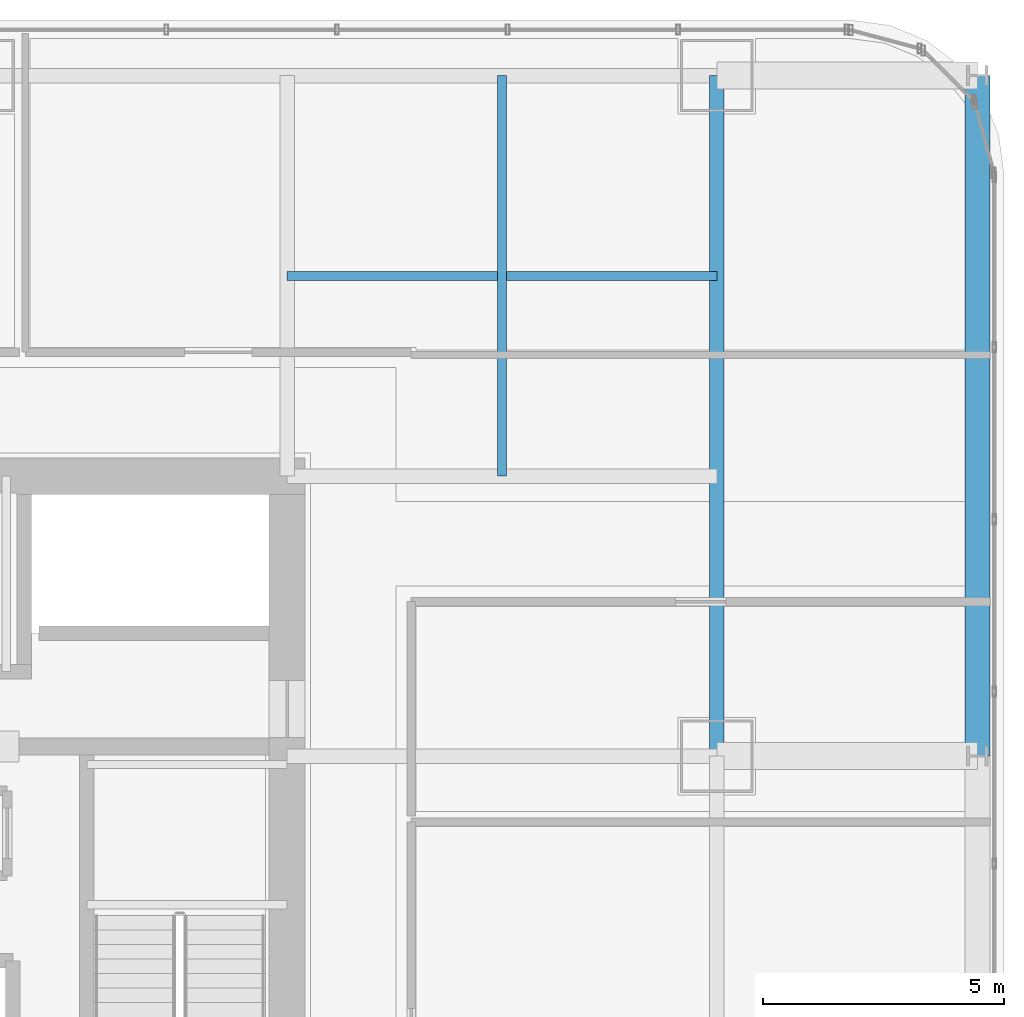
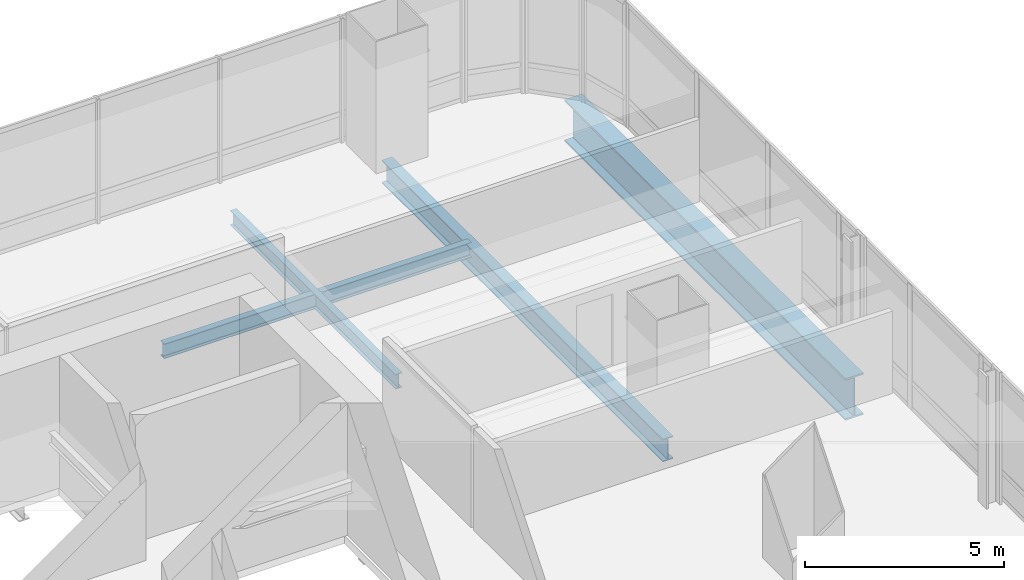
# One storey, part 23 of 35: 4 beams.
"""IFC4 building model written with IfcOpenShell, lengths in metres."""

from ifc_helpers import new_model, si_unit, direction, frame, origin, origin_2d, place, context, subcontext, project, spatial, i_section, extrude, material, material_profile, profile_set, type_object, element, save


model = new_model("IFC4")

# Units and contexts
model_context = context("Model", 3, precision=1e-05, world=origin(), true_north=direction((0.0, 1.0)))
body_context = subcontext(model_context, "Body", "Model", "MODEL_VIEW")
ifc_project = project(units=[si_unit("LENGTHUNIT", "METRE"), si_unit("AREAUNIT", "SQUARE_METRE"), si_unit("VOLUMEUNIT", "CUBIC_METRE"), si_unit("PLANEANGLEUNIT", "RADIAN"), si_unit("MASSUNIT", "GRAM", prefix="KILO")], contexts=[model_context])

# Site, building, storey
site_placement = place(None, origin())
site = spatial("IfcSite", under=ifc_project, at=site_placement, CompositionType="ELEMENT")
building_placement = place(site_placement, origin())
building = spatial("IfcBuilding", under=site, at=building_placement, Name="Punatoya Terracotta Tower", CompositionType="ELEMENT")
storey_placement = place(building_placement, frame((0.0, 0.0, 72.75)))
storey = spatial("IfcBuildingStorey", under=building, at=storey_placement, Name="L16", CompositionType="ELEMENT", Elevation=72.75)

# Beams
ifc_material_1 = material(Name="Steel S355", Category="steel")
ifc_material_profile_1 = material_profile(ifc_material_1, i_section(OverallWidth=0.300048828125, OverallDepth=0.699951171875, WebThickness=0.01708984375, FlangeThickness=0.031982421875, FilletRadius=0.01806640625, at=origin_2d()))
ifc_profile_set_1 = profile_set([ifc_material_profile_1], Name="Steel S355")
beam_type_1 = type_object("IfcBeamType", Name="BM-PRI-700", PredefinedType="BEAM", material=ifc_profile_set_1)
beam_1_placement = place(storey_placement, frame((19.10009765625, 3.39990234375, -0.590087890625), z_axis=(0.0, 1.0, 0.0), x_axis=(-1.0, 0.0, 0.0)))
element("IfcBeam", 1, at=beam_1_placement, inside=storey, type_object=beam_type_1, Name="BM-L16-RG-E3", PredefinedType="BEAM", context=body_context, shape_type="SweptSolid", body=[
    extrude(i_section(OverallWidth=0.300048828125, OverallDepth=0.699951171875, WebThickness=0.01708984375, FlangeThickness=0.031982421875, FilletRadius=0.01806640625, at=origin_2d()), origin(), (0.0, 0.0, 1.0), 14.10009765625),
])
ifc_material_profile_2 = material_profile(ifc_material_1, i_section(OverallWidth=0.18994140625, OverallDepth=0.449951171875, WebThickness=0.009521484375, FlangeThickness=0.0146484375, FilletRadius=0.01806640625, at=origin_2d()))
ifc_profile_set_2 = profile_set([ifc_material_profile_2], Name="Steel S355")
beam_type_2 = type_object("IfcBeamType", Name="BM-SEC-450", PredefinedType="JOIST", material=ifc_profile_set_2)
beam_2_placement = place(storey_placement, frame((10.199951171875, 13.35009765625, -0.465087890625), z_axis=(1.0, 0.0, 0.0), x_axis=(0.0, 1.0, 0.0)))
element("IfcBeam", 2, at=beam_2_placement, inside=storey, type_object=beam_type_2, Name="BM-L16-SJN-2", PredefinedType="JOIST", context=body_context, shape_type="SweptSolid", body=[
    extrude(i_section(OverallWidth=0.18994140625, OverallDepth=0.449951171875, WebThickness=0.009521484375, FlangeThickness=0.0146484375, FilletRadius=0.01806640625, at=origin_2d()), origin(), (0.0, 0.0, 1.0), 8.900146484375),
])
beam_3_placement = place(storey_placement, frame((14.64990234375, 9.199951171875, -0.465087890625), z_axis=(0.0, 1.0, 0.0), x_axis=(-1.0, 0.0, 0.0)))
element("IfcBeam", 3, at=beam_3_placement, inside=storey, type_object=beam_type_2, Name="BM-L16-SJE-2", PredefinedType="JOIST", context=body_context, shape_type="SweptSolid", body=[
    extrude(i_section(OverallWidth=0.18994140625, OverallDepth=0.449951171875, WebThickness=0.009521484375, FlangeThickness=0.0146484375, FilletRadius=0.01806640625, at=origin_2d()), origin(), (0.0, 0.0, 1.0), 8.300048828125),
])
ifc_material_2 = material(Name="Steel S460", Category="steel")
ifc_material_profile_3 = material_profile(ifc_material_2, i_section(OverallWidth=0.52001953125, OverallDepth=1.280029296875, WebThickness=0.031982421875, FlangeThickness=0.050048828125, FilletRadius=0.01806640625, at=origin_2d()))
ifc_profile_set_3 = profile_set([ifc_material_profile_3], Name="Steel S460")
beam_type_3 = type_object("IfcBeamType", Name="BM-TG-NCK", PredefinedType="BEAM", material=ifc_profile_set_3)
beam_4_placement = place(storey_placement, frame((24.5, 3.39990234375, -0.8798828125), z_axis=(0.0, 1.0, 0.0), x_axis=(-1.0, 0.0, 0.0)))
element("IfcBeam", 4, at=beam_4_placement, inside=storey, type_object=beam_type_3, Name="BM-L16-PER-E3", PredefinedType="BEAM", context=body_context, shape_type="SweptSolid", body=[
    extrude(i_section(OverallWidth=0.52001953125, OverallDepth=1.280029296875, WebThickness=0.031982421875, FlangeThickness=0.050048828125, FilletRadius=0.01806640625, at=origin_2d()), origin(), (0.0, 0.0, 1.0), 14.10009765625),
])

save(model, "model.ifc")
